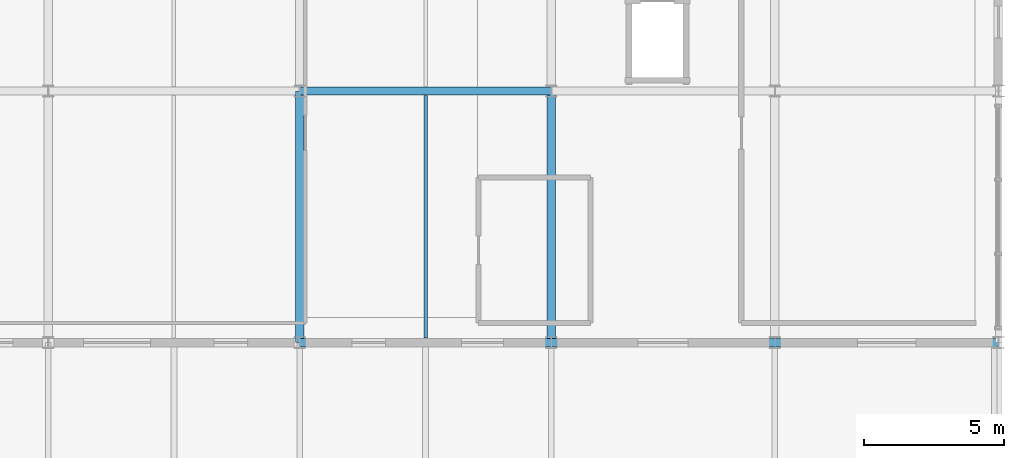
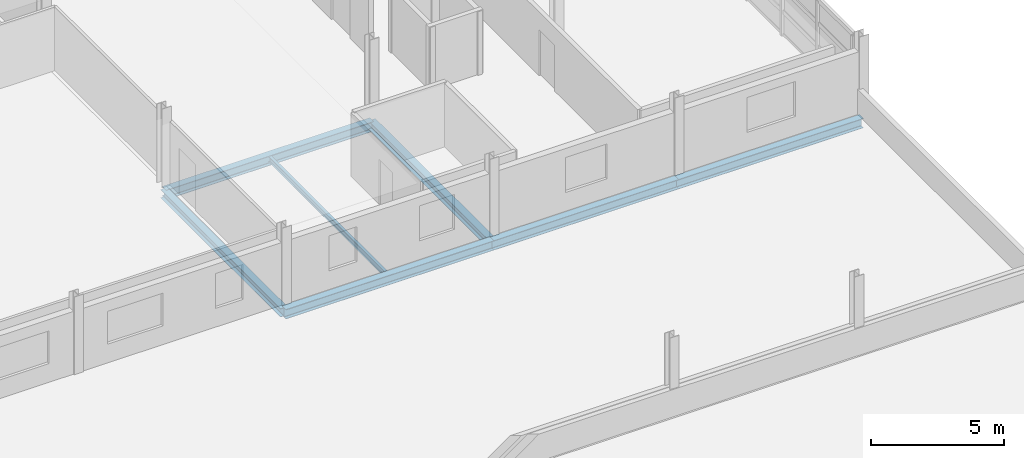
# One storey, part 70 of 116: 7 beams.
"""IFC4 building model written with IfcOpenShell, lengths in metres."""

from ifc_helpers import new_model, si_unit, direction, frame, origin, origin_2d, place, context, subcontext, project, spatial, i_section, extrude, material, material_profile, profile_set, type_object, element, save


model = new_model("IFC4")

# Units and contexts
model_context = context("Model", 3, precision=1e-05, world=origin(), true_north=direction((0.0, 1.0)))
body_context = subcontext(model_context, "Body", "Model", "MODEL_VIEW")
ifc_project = project(units=[si_unit("LENGTHUNIT", "METRE"), si_unit("AREAUNIT", "SQUARE_METRE"), si_unit("VOLUMEUNIT", "CUBIC_METRE"), si_unit("PLANEANGLEUNIT", "RADIAN"), si_unit("MASSUNIT", "GRAM", prefix="KILO")], contexts=[model_context])

# Site, building, storey
site_placement = place(None, origin())
site = spatial("IfcSite", under=ifc_project, at=site_placement, CompositionType="ELEMENT")
building_placement = place(site_placement, origin())
building = spatial("IfcBuilding", under=site, at=building_placement, Name="Chuanluo Vaults Station", CompositionType="ELEMENT")
storey_placement = place(building_placement, frame((0.0, 0.0, 10.800048828125)))
storey = spatial("IfcBuildingStorey", under=building, at=storey_placement, Name="L02", CompositionType="ELEMENT", Elevation=10.800048828125)

# Beams
ifc_material_1 = material(Name="Steel Q355C", Category="steel")
ifc_material_profile_1 = material_profile(ifc_material_1, i_section(OverallWidth=0.300048828125, OverallDepth=0.389892578125, WebThickness=0.010009765625, FlangeThickness=0.01611328125, FilletRadius=0.02001953125, at=origin_2d()))
ifc_profile_set_1 = profile_set([ifc_material_profile_1], Name="Steel Q355C")
beam_type_1 = type_object("IfcBeamType", Name="BM-GRD-400", PredefinedType="BEAM", material=ifc_profile_set_1)
for number, where, z_axis, x_axis, name in (
    (1, (163.0, 67.5, -0.4150390625), (0.0, 1.0, 0.0), (-1.0, 0.0, 0.0), "Floor girder BM:GY:L02:0669"),
    (2, (172.0, 67.5, -0.4150390625), (0.0, 1.0, 0.0), (-1.0, 0.0, 0.0), "Floor girder BM:GY:L02:0681"),
):
    element("IfcBeam", number, at=place(storey_placement, frame(where, z_axis=z_axis, x_axis=x_axis)), inside=storey, type_object=beam_type_1, Name=name, PredefinedType="BEAM", context=body_context, shape_type="SweptSolid", body=[
        extrude(i_section(OverallWidth=0.300048828125, OverallDepth=0.389892578125, WebThickness=0.010009765625, FlangeThickness=0.01611328125, FilletRadius=0.02001953125, at=origin_2d()), origin(), (0.0, 0.0, 1.0), 9.0),
    ])
ifc_material_2 = material(Name="Steel Q355C", Category="steel")
ifc_material_profile_2 = material_profile(ifc_material_2, i_section(OverallWidth=0.300048828125, OverallDepth=0.43994140625, WebThickness=0.010986328125, FlangeThickness=0.01806640625, FilletRadius=0.02001953125, at=origin_2d()))
ifc_profile_set_2 = profile_set([ifc_material_profile_2], Name="Steel Q355C")
beam_type_2 = type_object("IfcBeamType", Name="BM-GRD-450", PredefinedType="USERDEFINED", material=ifc_profile_set_2)
beam_1_placement = place(storey_placement, frame((163.0, 67.5, -0.43994140625), z_axis=(1.0, 0.0, 0.0), x_axis=(0.0, 1.0, 0.0)))
element("IfcBeam", 3, at=beam_1_placement, inside=storey, type_object=beam_type_2, Name="Floor girder BM:GX:L02:0580", ObjectType="GIRDER", PredefinedType="USERDEFINED", context=body_context, shape_type="SweptSolid", body=[
    extrude(i_section(OverallWidth=0.300048828125, OverallDepth=0.43994140625, WebThickness=0.010986328125, FlangeThickness=0.01806640625, FilletRadius=0.02001953125, at=origin_2d()), origin(), (0.0, 0.0, 1.0), 9.0),
])
for number, where, z_axis, x_axis, name in (
    (4, (172.0, 67.5, -0.43994140625), (1.0, 0.0, 0.0), (0.0, 1.0, 0.0), "Floor girder BM:GX:L02:0581"),
    (5, (180.0, 67.5, -0.43994140625), (1.0, 0.0, 0.0), (0.0, 1.0, 0.0), "Floor girder BM:GX:L02:0582"),
):
    element("IfcBeam", number, at=place(storey_placement, frame(where, z_axis=z_axis, x_axis=x_axis)), inside=storey, type_object=beam_type_2, Name=name, ObjectType="GIRDER", PredefinedType="USERDEFINED", context=body_context, shape_type="SweptSolid", body=[
        extrude(i_section(OverallWidth=0.300048828125, OverallDepth=0.43994140625, WebThickness=0.010986328125, FlangeThickness=0.01806640625, FilletRadius=0.02001953125, at=origin_2d()), origin(), (0.0, 0.0, 1.0), 8.0),
    ])
beam_2_placement = place(storey_placement, frame((163.0, 76.5, -0.43994140625), z_axis=(1.0, 0.0, 0.0), x_axis=(0.0, 1.0, 0.0)))
element("IfcBeam", 6, at=beam_2_placement, inside=storey, type_object=beam_type_2, Name="Floor girder BM:GX:L02:0585", ObjectType="GIRDER", PredefinedType="USERDEFINED", context=body_context, shape_type="SweptSolid", body=[
    extrude(i_section(OverallWidth=0.300048828125, OverallDepth=0.43994140625, WebThickness=0.010986328125, FlangeThickness=0.01806640625, FilletRadius=0.02001953125, at=origin_2d()), origin(), (0.0, 0.0, 1.0), 9.0),
])
ifc_material_3 = material(Name="Steel Q355C", Category="steel")
ifc_material_profile_3 = material_profile(ifc_material_3, i_section(OverallWidth=0.125, OverallDepth=0.25, WebThickness=0.006103515625, FlangeThickness=0.009033203125, FilletRadius=0.011962890625, at=origin_2d()))
ifc_profile_set_3 = profile_set([ifc_material_profile_3], Name="Steel Q355C")
beam_type_3 = type_object("IfcBeamType", Name="BM-SEC-250", PredefinedType="JOIST", material=ifc_profile_set_3)
beam_3_placement = place(storey_placement, frame((167.5, 67.655029296875, -0.344970703125), z_axis=(0.0, 1.0, 0.0), x_axis=(-1.0, 0.0, 0.0)))
element("IfcBeam", 7, at=beam_3_placement, inside=storey, type_object=beam_type_3, Name="Composite secondary joist 0222", PredefinedType="JOIST", context=body_context, shape_type="SweptSolid", body=[
    extrude(i_section(OverallWidth=0.125, OverallDepth=0.25, WebThickness=0.006103515625, FlangeThickness=0.009033203125, FilletRadius=0.011962890625, at=origin_2d()), origin(), (0.0, 0.0, 1.0), 8.68994140625),
])

save(model, "model.ifc")
